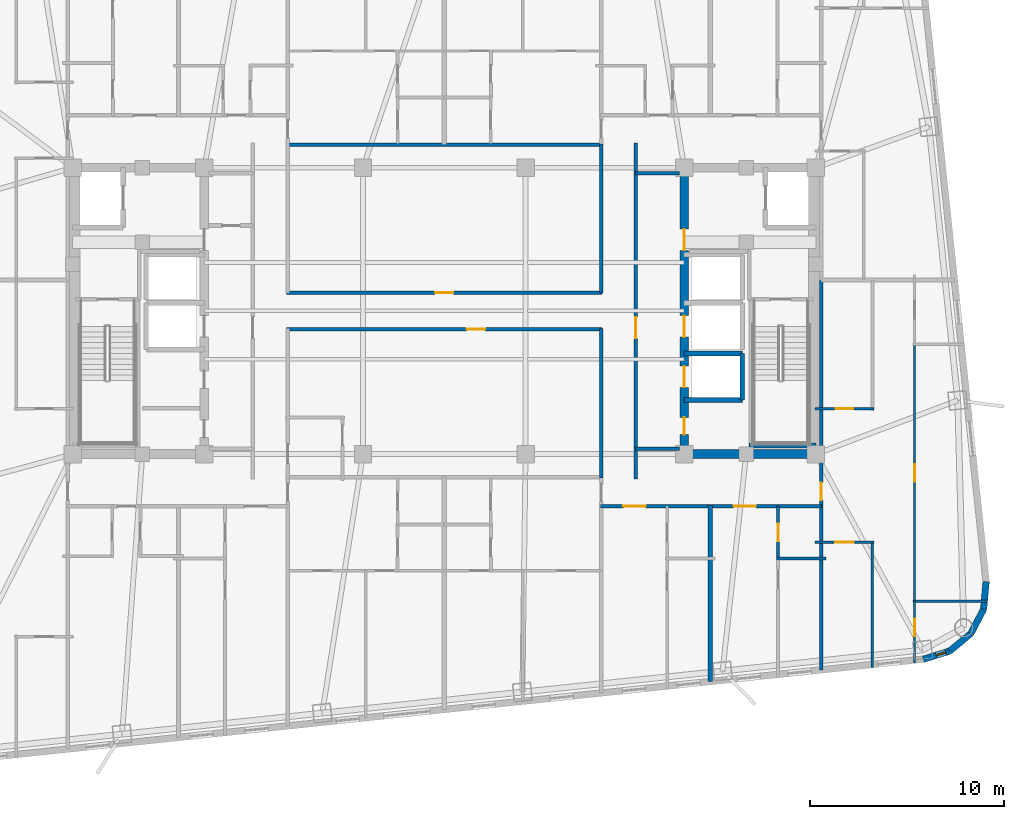
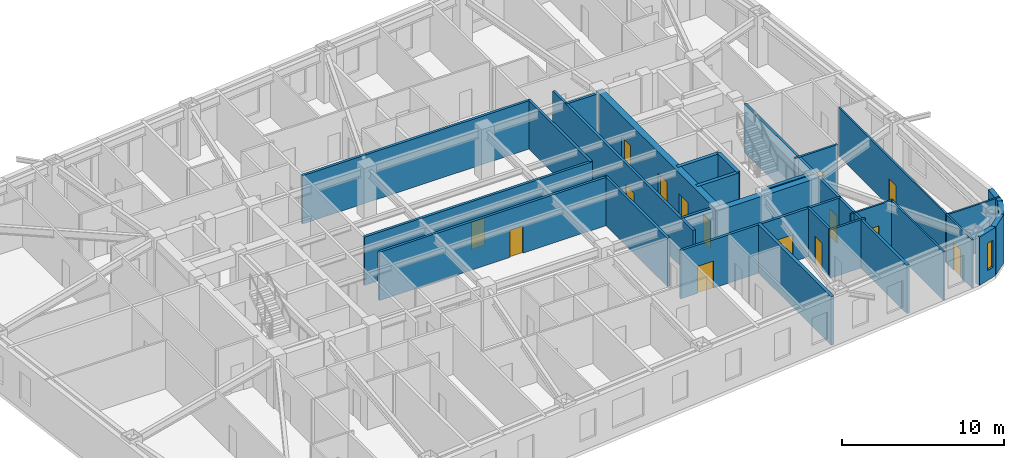
# One storey, part 6 of 12: 29 walls, 15 doors, 1 window, 16 openings.
"""IFC4 building model written with IfcOpenShell, lengths in metres."""

from ifc_helpers import new_model, si_unit, direction, frame, frame_2d, origin, place, context, subcontext, project, spatial, rectangle, extrude, material, layer, layer_set, type_object, element, fill, save


model = new_model("IFC4")

# Units and contexts
model_context = context("Model", 3, precision=1e-05, world=origin(), true_north=direction((0.0, 1.0)))
body_context = subcontext(model_context, "Body", "Model", "MODEL_VIEW")
ifc_project = project(units=[si_unit("LENGTHUNIT", "METRE"), si_unit("AREAUNIT", "SQUARE_METRE"), si_unit("VOLUMEUNIT", "CUBIC_METRE"), si_unit("PLANEANGLEUNIT", "RADIAN"), si_unit("MASSUNIT", "GRAM", prefix="KILO")], contexts=[model_context])

# Site, building, storey
site_placement = place(None, origin())
site = spatial("IfcSite", under=ifc_project, at=site_placement, CompositionType="ELEMENT")
building_placement = place(site_placement, origin())
building = spatial("IfcBuilding", under=site, at=building_placement, Name="Voryun Gate Residences", CompositionType="ELEMENT")
storey_placement = place(building_placement, frame((0.0, 0.0, 167.699951171875)))
storey = spatial("IfcBuildingStorey", under=building, at=storey_placement, Name="L41", CompositionType="ELEMENT", Elevation=167.699951171875)

# Wall
ifc_material_1 = material(Name="Concrete C50/60", Category="concrete")
ifc_layer_1 = layer(ifc_material_1, 0.449951171875, Name="CW_CORE_450")
ifc_layer_set_1 = layer_set([ifc_layer_1], Name="Concrete C50/60")
wall_type_1 = type_object("IfcWallType", Name="CW_CORE_450", PredefinedType="SHEAR", material=ifc_layer_set_1)
wall_1_placement = place(storey_placement, frame((12.175048828125, -7.39990234375, 0.0), z_axis=(0.0, 0.0, 1.0), x_axis=(1.0, 0.0, 0.0)))
element("IfcWall", 1, at=wall_1_placement, inside=storey, type_object=wall_type_1, Name="L41 Core shear wall CW-L41-ES", PredefinedType="SHEAR", context=body_context, shape_type="SweptSolid", body=[
    extrude(rectangle(XDim=7.25, YDim=0.449951171875, at=frame_2d((3.625, 0.0))), origin(), (0.0, 0.0, 1.0), 3.650146484375),
])

# Wall, openings, doors
wall_2_placement = place(storey_placement, frame((12.39990234375, -7.39990234375, 0.0), z_axis=(0.0, 0.0, 1.0), x_axis=(0.0, 1.0, 0.0)))
wall_2 = element("IfcWall", 2, at=wall_2_placement, inside=storey, type_object=wall_type_1, Name="L41 Core shear wall CW-L41-EW", PredefinedType="SHEAR", context=body_context, shape_type="SweptSolid", body=[
    extrude(rectangle(XDim=14.7998046875, YDim=0.449951171875, at=frame_2d((7.39990234375, 0.0))), origin(), (0.0, 0.0, 1.0), 3.650146484375),
])
opening_1_placement = place(wall_2_placement, frame((3.449951171875, 0.0, 0.0)))
opening_1 = element("IfcOpeningElement", 3, at=opening_1_placement, cuts=wall_2, Name="Opening LD2", PredefinedType="OPENING", context=body_context, shape_type="SweptSolid", body=[
    extrude(rectangle(XDim=1.10009765625, YDim=2.050048828125, at=frame_2d((0.550048828125, 1.02490234375))), frame((0.0, 0.235107421875, 0.0), z_axis=(0.0, -1.0, 0.0), x_axis=(1.0, 0.0, 0.0)), (0.0, 0.0, 1.0), 0.469970703125),
])
opening_2_placement = place(wall_2_placement, frame((6.050048828125, 0.0, 0.0)))
opening_2 = element("IfcOpeningElement", 4, at=opening_2_placement, cuts=wall_2, Name="Opening LD2", PredefinedType="OPENING", context=body_context, shape_type="SweptSolid", body=[
    extrude(rectangle(XDim=1.10009765625, YDim=2.050048828125, at=frame_2d((0.550048828125, 1.02490234375))), frame((0.0, 0.235107421875, 0.0), z_axis=(0.0, -1.0, 0.0), x_axis=(1.0, 0.0, 0.0)), (0.0, 0.0, 1.0), 0.469970703125),
])
opening_3_placement = place(wall_2_placement, frame((10.530029296875, 0.0, 0.0)))
opening_3 = element("IfcOpeningElement", 5, at=opening_3_placement, cuts=wall_2, Name="Opening D-FD60-2", PredefinedType="OPENING", context=body_context, shape_type="SweptSolid", body=[
    extrude(rectangle(XDim=1.10009765625, YDim=2.050048828125, at=frame_2d((0.550048828125, 1.02490234375))), frame((0.0, 0.235107421875, 0.0), z_axis=(0.0, -1.0, 0.0), x_axis=(1.0, 0.0, 0.0)), (0.0, 0.0, 1.0), 0.469970703125),
])
opening_4_placement = place(wall_2_placement, frame((1.0, 0.0, 0.0)))
opening_4 = element("IfcOpeningElement", 6, at=opening_4_placement, cuts=wall_2, Name="Opening D-FD60-4", PredefinedType="OPENING", context=body_context, shape_type="SweptSolid", body=[
    extrude(rectangle(XDim=0.89990234375, YDim=2.050048828125, at=frame_2d((0.449951171875, 1.02490234375))), frame((0.0, 0.235107421875, 0.0), z_axis=(0.0, -1.0, 0.0), x_axis=(1.0, 0.0, 0.0)), (0.0, 0.0, 1.0), 0.469970703125),
])
ifc_material_2 = material(Name="Painted steel fire door", Category="steel")
door_type_1 = type_object("IfcDoorType", Name="DR_FD60_FFLOB_1100", OperationType="NOTDEFINED", PredefinedType="DOOR", material=ifc_material_2)
door_1_placement = place(opening_3_placement, origin())
door_1 = element("IfcDoor", 7, at=door_1_placement, inside=storey, type_object=door_type_1, Name="Door DR-L41-CLOB-E", OperationType="SINGLE_SWING_RIGHT", OverallHeight=2.050048828125, OverallWidth=1.10009765625, PredefinedType="DOOR", context=body_context, shape_type="SweptSolid", body=[
    extrude(rectangle(XDim=1.10009765625, YDim=2.050048828125, at=frame_2d((0.550048828125, 1.02490234375))), frame((0.0, 0.02490234375, 0.0), z_axis=(0.0, -1.0, 0.0), x_axis=(1.0, 0.0, 0.0)), (0.0, 0.0, 1.0), 0.050048828125),
])
fill(opening_3, door_1)
ifc_material_3 = material(Name="Painted steel fire door", Category="steel")
door_type_2 = type_object("IfcDoorType", Name="DR_FD60_RISER_900", OperationType="NOTDEFINED", PredefinedType="DOOR", material=ifc_material_3)
door_2_placement = place(opening_4_placement, origin())
door_2 = element("IfcDoor", 8, at=door_2_placement, inside=storey, type_object=door_type_2, Name="Door DR-L41-RECE1", OperationType="SINGLE_SWING_RIGHT", OverallHeight=2.050048828125, OverallWidth=0.89990234375, PredefinedType="DOOR", context=body_context, shape_type="SweptSolid", body=[
    extrude(rectangle(XDim=0.89990234375, YDim=2.050048828125, at=frame_2d((0.449951171875, 1.02490234375))), frame((0.0, 0.02490234375, 0.0), z_axis=(0.0, -1.0, 0.0), x_axis=(1.0, 0.0, 0.0)), (0.0, 0.0, 1.0), 0.050048828125),
])
fill(opening_4, door_2)
ifc_material_4 = material(Name="Anodised aluminium", Category="aluminium")
door_type_3 = type_object("IfcDoorType", Name="DR_LD_PASS_1100", OperationType="NOTDEFINED", PredefinedType="DOOR", material=ifc_material_4)
door_3_placement = place(opening_1_placement, origin())
door_3 = element("IfcDoor", 9, at=door_3_placement, inside=storey, type_object=door_type_3, Name="Lift EL-P5 sliding landing door L41", OperationType="SLIDING_TO_LEFT", OverallHeight=2.050048828125, OverallWidth=1.10009765625, PredefinedType="DOOR", context=body_context, shape_type="SweptSolid", body=[
    extrude(rectangle(XDim=1.10009765625, YDim=2.050048828125, at=frame_2d((0.550048828125, 1.02490234375))), frame((0.0, 0.02490234375, 0.0), z_axis=(0.0, -1.0, 0.0), x_axis=(1.0, 0.0, 0.0)), (0.0, 0.0, 1.0), 0.050048828125),
])
fill(opening_1, door_3)
door_4_placement = place(opening_2_placement, origin())
door_4 = element("IfcDoor", 10, at=door_4_placement, inside=storey, type_object=door_type_3, Name="Lift EL-P6 sliding landing door L41", OperationType="SLIDING_TO_LEFT", OverallHeight=2.050048828125, OverallWidth=1.10009765625, PredefinedType="DOOR", context=body_context, shape_type="SweptSolid", body=[
    extrude(rectangle(XDim=1.10009765625, YDim=2.050048828125, at=frame_2d((0.550048828125, 1.02490234375))), frame((0.0, 0.02490234375, 0.0), z_axis=(0.0, -1.0, 0.0), x_axis=(1.0, 0.0, 0.0)), (0.0, 0.0, 1.0), 0.050048828125),
])
fill(opening_2, door_4)

# Walls
ifc_material_5 = material(Name="Gypsum acoustic fireboard")
ifc_layer_2 = layer(ifc_material_5, 0.179931640625, Name="W_CORR_RATED_180")
ifc_layer_set_2 = layer_set([ifc_layer_2], Name="Gypsum acoustic fireboard")
wall_type_2 = type_object("IfcWallType", Name="W_CORR_RATED_180", PredefinedType="PARTITIONING", material=ifc_layer_set_2)
for number, where, z_axis, x_axis, name in (
    (11, (9.8798828125, 7.1201171875, 0.0), (0.0, 0.0, 1.0), (1.0, 0.0, 0.0), "Partition wall WP-L41-PLBN-E"),
    (12, (9.8798828125, -7.1201171875, 0.0), (0.0, 0.0, 1.0), (1.0, 0.0, 0.0), "Partition wall WP-L41-PLBS-E"),
):
    element("IfcWall", number, at=place(storey_placement, frame(where, z_axis=z_axis, x_axis=x_axis)), inside=storey, type_object=wall_type_2, Name=name, PredefinedType="PARTITIONING", context=body_context, shape_type="SweptSolid", body=[
        extrude(rectangle(XDim=2.27001953125, YDim=0.179931640625, at=frame_2d((1.135009765625, 0.0))), origin(), (0.0, 0.0, 1.0), 3.650146484375),
    ])

# Wall, opening, door
wall_3_placement = place(storey_placement, frame((9.89990234375, -8.679931640625, 0.0), z_axis=(0.0, 0.0, 1.0), x_axis=(0.0, 1.0, 0.0)))
wall_3 = element("IfcWall", 13, at=wall_3_placement, inside=storey, type_object=wall_type_2, Name="Partition wall WP-L41-PLBE-FULL", PredefinedType="PARTITIONING", context=body_context, shape_type="SweptSolid", body=[
    extrude(rectangle(XDim=17.35986328125, YDim=0.179931640625, at=frame_2d((8.679931640625, 0.0))), origin(), (0.0, 0.0, 1.0), 3.650146484375),
])
opening_5_placement = place(wall_3_placement, frame((7.261962890625, 0.0, 0.0)))
opening_5 = element("IfcOpeningElement", 14, at=opening_5_placement, cuts=wall_3, Name="Opening D-FD60-2", PredefinedType="OPENING", context=body_context, shape_type="SweptSolid", body=[
    extrude(rectangle(XDim=1.10009765625, YDim=2.050048828125, at=frame_2d((0.550048828125, 1.02490234375))), frame((0.0, 0.099853515625, 0.0), z_axis=(0.0, -1.0, 0.0), x_axis=(1.0, 0.0, 0.0)), (0.0, 0.0, 1.0), 0.199951171875),
])
door_5_placement = place(opening_5_placement, origin())
door_5 = element("IfcDoor", 15, at=door_5_placement, inside=storey, type_object=door_type_1, Name="Door DR-L41-PLBE-COR", OperationType="SINGLE_SWING_RIGHT", OverallHeight=2.050048828125, OverallWidth=1.10009765625, PredefinedType="DOOR", context=body_context, shape_type="SweptSolid", body=[
    extrude(rectangle(XDim=1.10009765625, YDim=2.050048828125, at=frame_2d((0.550048828125, 1.02490234375))), frame((0.0, 0.02490234375, 0.0), z_axis=(0.0, -1.0, 0.0), x_axis=(1.0, 0.0, 0.0)), (0.0, 0.0, 1.0), 0.050048828125),
])
fill(opening_5, door_5)

# Wall
wall_4_placement = place(storey_placement, frame((-8.14990234375, 8.590087890625, 0.0), z_axis=(0.0, 0.0, 1.0), x_axis=(1.0, 0.0, 0.0)))
element("IfcWall", 16, at=wall_4_placement, inside=storey, type_object=wall_type_2, Name="Partition wall WP-L41-Z2N", PredefinedType="PARTITIONING", context=body_context, shape_type="SweptSolid", body=[
    extrude(rectangle(XDim=16.2998046875, YDim=0.179931640625, at=frame_2d((8.14990234375, 0.0))), origin(), (0.0, 0.0, 1.0), 3.650146484375),
])

# Wall, opening, door
wall_5_placement = place(storey_placement, frame((-8.14990234375, 0.93994140625, 0.0), z_axis=(0.0, 0.0, 1.0), x_axis=(1.0, 0.0, 0.0)))
wall_5 = element("IfcWall", 17, at=wall_5_placement, inside=storey, type_object=wall_type_2, Name="Partition wall WP-L41-Z2HN", PredefinedType="PARTITIONING", context=body_context, shape_type="SweptSolid", body=[
    extrude(rectangle(XDim=16.2998046875, YDim=0.179931640625, at=frame_2d((8.14990234375, 0.0))), origin(), (0.0, 0.0, 1.0), 3.650146484375),
])
opening_6_placement = place(wall_5_placement, frame((7.675048828125, 0.0, 0.0)))
opening_6 = element("IfcOpeningElement", 18, at=opening_6_placement, cuts=wall_5, Name="Opening D-INT-1", PredefinedType="OPENING", context=body_context, shape_type="SweptSolid", body=[
    extrude(rectangle(XDim=0.949951171875, YDim=2.050048828125, at=frame_2d((0.47509765625, 1.02490234375))), frame((0.0, 0.099853515625, 0.0), z_axis=(0.0, -1.0, 0.0), x_axis=(1.0, 0.0, 0.0)), (0.0, 0.0, 1.0), 0.199951171875),
])
ifc_material_6 = material(Name="Architectural oak veneer")
door_type_4 = type_object("IfcDoorType", Name="DR_INT_ROOM_950", OperationType="NOTDEFINED", PredefinedType="DOOR", material=ifc_material_6)
door_6_placement = place(opening_6_placement, origin())
door_6 = element("IfcDoor", 19, at=door_6_placement, inside=storey, type_object=door_type_4, Name="Door DR-L41-Z2NH", OperationType="SINGLE_SWING_LEFT", OverallHeight=2.050048828125, OverallWidth=0.949951171875, PredefinedType="DOOR", context=body_context, shape_type="SweptSolid", body=[
    extrude(rectangle(XDim=0.949951171875, YDim=2.050048828125, at=frame_2d((0.47509765625, 1.02490234375))), frame((0.0, 0.02490234375, 0.0), z_axis=(0.0, -1.0, 0.0), x_axis=(1.0, 0.0, 0.0)), (0.0, 0.0, 1.0), 0.050048828125),
])
fill(opening_6, door_6)

wall_6_placement = place(storey_placement, frame((-8.14990234375, -0.93994140625, 0.0), z_axis=(0.0, 0.0, 1.0), x_axis=(1.0, 0.0, 0.0)))
wall_6 = element("IfcWall", 20, at=wall_6_placement, inside=storey, type_object=wall_type_2, Name="Partition wall WP-L41-Z2HS", PredefinedType="PARTITIONING", context=body_context, shape_type="SweptSolid", body=[
    extrude(rectangle(XDim=16.2998046875, YDim=0.179931640625, at=frame_2d((8.14990234375, 0.0))), origin(), (0.0, 0.0, 1.0), 3.650146484375),
])
opening_7_placement = place(wall_6_placement, frame((9.304931640625, 0.0, 0.0)))
opening_7 = element("IfcOpeningElement", 21, at=opening_7_placement, cuts=wall_6, Name="Opening D-INT-1", PredefinedType="OPENING", context=body_context, shape_type="SweptSolid", body=[
    extrude(rectangle(XDim=0.949951171875, YDim=2.050048828125, at=frame_2d((0.47509765625, 1.02490234375))), frame((0.0, 0.099853515625, 0.0), z_axis=(0.0, -1.0, 0.0), x_axis=(1.0, 0.0, 0.0)), (0.0, 0.0, 1.0), 0.199951171875),
])
door_7_placement = place(opening_7_placement, origin())
door_7 = element("IfcDoor", 22, at=door_7_placement, inside=storey, type_object=door_type_4, Name="Door DR-L41-Z2SH", OperationType="SINGLE_SWING_RIGHT", OverallHeight=2.050048828125, OverallWidth=0.949951171875, PredefinedType="DOOR", context=body_context, shape_type="SweptSolid", body=[
    extrude(rectangle(XDim=0.949951171875, YDim=2.050048828125, at=frame_2d((0.47509765625, 1.02490234375))), frame((0.0, 0.02490234375, 0.0), z_axis=(0.0, -1.0, 0.0), x_axis=(1.0, 0.0, 0.0)), (0.0, 0.0, 1.0), 0.050048828125),
])
fill(opening_7, door_7)

# Walls
for number, where, z_axis, x_axis, name in (
    (23, (8.10009765625, 0.919921875, 0.0), (0.0, 0.0, 1.0), (0.0, 1.0, 0.0), "Partition wall WP-L41-Z2ER1"),
    (24, (8.10009765625, -8.6298828125, 0.0), (0.0, 0.0, 1.0), (0.0, 1.0, 0.0), "Partition wall WP-L41-Z2ER2"),
):
    element("IfcWall", number, at=place(storey_placement, frame(where, z_axis=z_axis, x_axis=x_axis)), inside=storey, type_object=wall_type_2, Name=name, PredefinedType="PARTITIONING", context=body_context, shape_type="SweptSolid", body=[
        extrude(rectangle(XDim=7.7099609375, YDim=0.179931640625, at=frame_2d((3.85498046875, 0.0))), origin(), (0.0, 0.0, 1.0), 3.650146484375),
    ])

# Wall, openings, doors
wall_7_placement = place(storey_placement, frame((8.080078125, -10.10009765625, 0.0), z_axis=(0.0, 0.0, 1.0), x_axis=(1.0, 0.0, 0.0)))
wall_7 = element("IfcWall", 25, at=wall_7_placement, inside=storey, type_object=wall_type_2, Name="Partition wall WP-L41-SCORR-E", PredefinedType="PARTITIONING", context=body_context, shape_type="SweptSolid", body=[
    extrude(rectangle(XDim=11.419921875, YDim=0.179931640625, at=frame_2d((5.7099609375, 0.0))), origin(), (0.0, 0.0, 1.0), 3.650146484375),
])
opening_8_placement = place(wall_7_placement, frame((1.174560546875, 0.0, 0.0)))
opening_8 = element("IfcOpeningElement", 26, at=opening_8_placement, cuts=wall_7, Name="Opening D-UNIT-1", PredefinedType="OPENING", context=body_context, shape_type="SweptSolid", body=[
    extrude(rectangle(XDim=1.14990234375, YDim=2.050048828125, at=frame_2d((0.574951171875, 1.02490234375))), frame((0.0, 0.099853515625, 0.0), z_axis=(0.0, -1.0, 0.0), x_axis=(1.0, 0.0, 0.0)), (0.0, 0.0, 1.0), 0.199951171875),
])
opening_9_placement = place(wall_7_placement, frame((6.86962890625, 0.0, 0.0)))
opening_9 = element("IfcOpeningElement", 27, at=opening_9_placement, cuts=wall_7, Name="Opening D-UNIT-1", PredefinedType="OPENING", context=body_context, shape_type="SweptSolid", body=[
    extrude(rectangle(XDim=1.14990234375, YDim=2.050048828125, at=frame_2d((0.574951171875, 1.02490234375))), frame((0.0, 0.099853515625, 0.0), z_axis=(0.0, -1.0, 0.0), x_axis=(1.0, 0.0, 0.0)), (0.0, 0.0, 1.0), 0.199951171875),
])
ifc_material_7 = material(Name="Armoured timber-clad fire door", Category="wood")
door_type_5 = type_object("IfcDoorType", Name="DR_UNIT_ENTRY_1150", OperationType="NOTDEFINED", PredefinedType="DOOR", material=ifc_material_7)
door_8_placement = place(opening_8_placement, origin())
door_8 = element("IfcDoor", 28, at=door_8_placement, inside=storey, type_object=door_type_5, Name="Door DR-L41-SENT-4", OperationType="SINGLE_SWING_LEFT", OverallHeight=2.050048828125, OverallWidth=1.14990234375, PredefinedType="DOOR", context=body_context, shape_type="SweptSolid", body=[
    extrude(rectangle(XDim=1.14990234375, YDim=2.050048828125, at=frame_2d((0.574951171875, 1.02490234375))), frame((0.0, 0.02490234375, 0.0), z_axis=(0.0, -1.0, 0.0), x_axis=(1.0, 0.0, 0.0)), (0.0, 0.0, 1.0), 0.050048828125),
])
fill(opening_8, door_8)
door_9_placement = place(opening_9_placement, origin())
door_9 = element("IfcDoor", 29, at=door_9_placement, inside=storey, type_object=door_type_5, Name="Door DR-L41-SENT-5", OperationType="SINGLE_SWING_RIGHT", OverallHeight=2.050048828125, OverallWidth=1.14990234375, PredefinedType="DOOR", context=body_context, shape_type="SweptSolid", body=[
    extrude(rectangle(XDim=1.14990234375, YDim=2.050048828125, at=frame_2d((0.574951171875, 1.02490234375))), frame((0.0, 0.02490234375, 0.0), z_axis=(0.0, -1.0, 0.0), x_axis=(1.0, 0.0, 0.0)), (0.0, 0.0, 1.0), 0.050048828125),
])
fill(opening_9, door_9)

# Wall, opening, door
wall_8_placement = place(storey_placement, frame((19.469970703125, -18.55859375, 0.0), z_axis=(0.0, 0.0, 1.0), x_axis=(0.0, 1.0, 0.0)))
wall_8 = element("IfcWall", 30, at=wall_8_placement, inside=storey, type_object=wall_type_2, Name="Partition wall WP-L41-ECOR1", PredefinedType="PARTITIONING", context=body_context, shape_type="SweptSolid", body=[
    extrude(rectangle(XDim=20.15869140625, YDim=0.179931640625, at=frame_2d((10.079345703125, 0.0))), origin(), (0.0, 0.0, 1.0), 3.650146484375),
])
opening_10_placement = place(wall_8_placement, frame((8.77880859375, 0.0, 0.0)))
opening_10 = element("IfcOpeningElement", 31, at=opening_10_placement, cuts=wall_8, Name="Opening D-INT-2", PredefinedType="OPENING", context=body_context, shape_type="SweptSolid", body=[
    extrude(rectangle(XDim=0.89990234375, YDim=2.050048828125, at=frame_2d((0.449951171875, 1.02490234375))), frame((0.0, 0.099853515625, 0.0), z_axis=(0.0, -1.0, 0.0), x_axis=(1.0, 0.0, 0.0)), (0.0, 0.0, 1.0), 0.199951171875),
])
ifc_material_8 = material(Name="Architectural oak veneer")
door_type_6 = type_object("IfcDoorType", Name="DR_INT_BATH_900", OperationType="NOTDEFINED", PredefinedType="DOOR", material=ifc_material_8)
door_10_placement = place(opening_10_placement, origin())
door_10 = element("IfcDoor", 32, at=door_10_placement, inside=storey, type_object=door_type_6, Name="Door DR-L41-EE1", OperationType="SINGLE_SWING_LEFT", OverallHeight=2.050048828125, OverallWidth=0.89990234375, PredefinedType="DOOR", context=body_context, shape_type="SweptSolid", body=[
    extrude(rectangle(XDim=0.89990234375, YDim=2.050048828125, at=frame_2d((0.449951171875, 1.02490234375))), frame((0.0, 0.02490234375, 0.0), z_axis=(0.0, -1.0, 0.0), x_axis=(1.0, 0.0, 0.0)), (0.0, 0.0, 1.0), 0.050048828125),
])
fill(opening_10, door_10)

# Walls
ifc_material_9 = material(Name="Charcoal terracotta masonry", Category="masonry")
ifc_layer_3 = layer(ifc_material_9, 0.340087890625, Name="W_EXT_TERRACOTTA_340")
ifc_layer_set_3 = layer_set([ifc_layer_3], Name="Charcoal terracotta masonry")
wall_type_3 = type_object("IfcWallType", Name="W_EXT_TERRACOTTA_340", PredefinedType="ELEMENTEDWALL", material=ifc_layer_set_3)
wall_9_placement = place(storey_placement, frame((28.001220703125, -13.9951171875, 0.0), z_axis=(0.0, 0.0, 1.0), x_axis=(-0.091534682358, -0.995801888894, 0.0)))
element("IfcWall", 33, at=wall_9_placement, inside=storey, type_object=wall_type_3, Name="Exterior wall WEXT-L41-17", PredefinedType="ELEMENTEDWALL", context=body_context, shape_type="SweptSolid", body=[
    extrude(rectangle(XDim=1.432373046875, YDim=0.340087890625, at=frame_2d((0.71630859375, 0.0))), origin(), (0.0, 0.0, 1.0), 3.650146484375),
])
for number, where, z_axis, x_axis, name in (
    (34, (27.8701171875, -15.42138671875, 0.0), (0.0, 0.0, 1.0), (-0.465682431293, -0.884951904447, 0.0), "Exterior wall WEXT-L41-18"),
    (35, (27.211181640625, -16.673583984375, 0.0), (0.0, 0.0, 1.0), (-0.768758372808, -0.639539337522, 0.0), "Exterior wall WEXT-L41-19"),
):
    element("IfcWall", number, at=place(storey_placement, frame(where, z_axis=z_axis, x_axis=x_axis)), inside=storey, type_object=wall_type_3, Name=name, PredefinedType="ELEMENTEDWALL", context=body_context, shape_type="SweptSolid", body=[
        extrude(rectangle(XDim=1.4150390625, YDim=0.340087890625, at=frame_2d((0.70751953125, 0.0))), origin(), (0.0, 0.0, 1.0), 3.650146484375),
    ])

# Wall, opening, window
wall_10_placement = place(storey_placement, frame((26.123291015625, -17.57861328125, 0.0), z_axis=(0.0, 0.0, 1.0), x_axis=(-0.955042500381, -0.296468923271, 0.0)))
wall_10 = element("IfcWall", 36, at=wall_10_placement, inside=storey, type_object=wall_type_3, Name="Exterior wall WEXT-L41-20", PredefinedType="ELEMENTEDWALL", context=body_context, shape_type="SweptSolid", body=[
    extrude(rectangle(XDim=1.43212890625, YDim=0.340087890625, at=frame_2d((0.716064453125, 0.0))), origin(), (0.0, 0.0, 1.0), 3.650146484375),
])
opening_11_placement = place(wall_10_placement, frame((0.216064453125, 0.0, 0.75)))
opening_11 = element("IfcOpeningElement", 37, at=opening_11_placement, cuts=wall_10, Name="Opening WN10", PredefinedType="OPENING", context=body_context, shape_type="SweptSolid", body=[
    extrude(rectangle(XDim=0.52001953125, YDim=2.050048828125, at=frame_2d((0.260009765625, 1.02490234375))), frame((0.0, 0.179931640625, 0.0), z_axis=(0.0, -1.0, 0.0), x_axis=(1.0, 0.0, 0.0)), (0.0, 0.0, 1.0), 0.360107421875),
])
ifc_material_10 = material(Name="Laminated low-E glass", Category="glass")
window_type = type_object("IfcWindowType", Name="WN_PAGODA_LANCET_520", PartitioningType="SINGLE_PANEL", PredefinedType="WINDOW", material=ifc_material_10)
window_placement = place(opening_11_placement, origin())
window = element("IfcWindow", 38, at=window_placement, inside=storey, type_object=window_type, Name="Window WN-L41-DWFIX-28", OverallHeight=2.050048828125, OverallWidth=0.52001953125, PartitioningType="SINGLE_PANEL", PredefinedType="WINDOW", context=body_context, shape_type="SweptSolid", body=[
    extrude(rectangle(XDim=0.52001953125, YDim=2.050048828125, at=frame_2d((0.260009765625, 1.02490234375))), frame((0.0, 0.030029296875, 0.0), z_axis=(0.0, -1.0, 0.0), x_axis=(1.0, 0.0, 0.0)), (0.0, 0.0, 1.0), 0.06005859375),
])
fill(opening_11, window)

# Walls
ifc_material_11 = material(Name="Concrete C40/50", Category="concrete")
ifc_layer_4 = layer(ifc_material_11, 0.219970703125, Name="W_PARTY_ACOUSTIC_220")
ifc_layer_set_4 = layer_set([ifc_layer_4], Name="Concrete C40/50")
wall_type_4 = type_object("IfcWallType", Name="W_PARTY_ACOUSTIC_220", PredefinedType="PARTITIONING", material=ifc_layer_set_4)
wall_11_placement = place(storey_placement, frame((13.739990234375, -19.160888671875, 0.0), z_axis=(0.0, 0.0, 1.0), x_axis=(0.0, 1.0, 0.0)))
element("IfcWall", 39, at=wall_11_placement, inside=storey, type_object=wall_type_4, Name="Partition wall WP-L41-SPTY-4", PredefinedType="PARTITIONING", context=body_context, shape_type="SweptSolid", body=[
    extrude(rectangle(XDim=9.140869140625, YDim=0.219970703125, at=frame_2d((4.5703125, 0.0))), origin(), (0.0, 0.0, 1.0), 3.650146484375),
])
ifc_material_12 = material(Name="Concrete C50/60", Category="concrete")
ifc_layer_5 = layer(ifc_material_12, 0.25, Name="W_SHAFT_RC250")
ifc_layer_set_5 = layer_set([ifc_layer_5], Name="Concrete C50/60")
wall_type_5 = type_object("IfcWallType", Name="W_SHAFT_RC250", PredefinedType="SOLIDWALL", material=ifc_layer_set_5)
wall_12_placement = place(storey_placement, frame((15.739990234375, -6.965087890625, 0.0), z_axis=(0.0, 0.0, 1.0), x_axis=(1.0, 0.0, 0.0)))
element("IfcWall", 40, at=wall_12_placement, inside=storey, type_object=wall_type_5, Name="L41 Stair shaft structural wall E-STS", PredefinedType="SOLIDWALL", context=body_context, shape_type="SweptSolid", body=[
    extrude(rectangle(XDim=3.4599609375, YDim=0.25, at=frame_2d((1.72998046875, 0.0))), origin(), (0.0, 0.0, 1.0), 3.650146484375),
])
wall_13_placement = place(storey_placement, frame((12.39990234375, -4.60009765625, 0.0), z_axis=(0.0, 0.0, 1.0), x_axis=(1.0, 0.0, 0.0)))
element("IfcWall", 41, at=wall_13_placement, inside=storey, type_object=wall_type_5, Name="Lift shaft wall WSH-L41-EL-P5-S", PredefinedType="SOLIDWALL", context=body_context, shape_type="SweptSolid", body=[
    extrude(rectangle(XDim=3.0, YDim=0.25, at=frame_2d((1.5, 0.0))), origin(), (0.0, 0.0, 1.0), 3.650146484375),
])
wall_14_placement = place(storey_placement, frame((15.39990234375, -4.60009765625, 0.0), z_axis=(0.0, 0.0, 1.0), x_axis=(0.0, 1.0, 0.0)))
element("IfcWall", 42, at=wall_14_placement, inside=storey, type_object=wall_type_5, Name="Lift shaft wall WSH-L41-EL-P5-E", PredefinedType="SOLIDWALL", context=body_context, shape_type="SweptSolid", body=[
    extrude(rectangle(XDim=2.400146484375, YDim=0.25, at=frame_2d((1.2001953125, 0.0))), origin(), (0.0, 0.0, 1.0), 3.650146484375),
])
wall_15_placement = place(storey_placement, frame((15.39990234375, -2.199951171875, 0.0), z_axis=(0.0, 0.0, 1.0), x_axis=(-1.0, 0.0, 0.0)))
element("IfcWall", 43, at=wall_15_placement, inside=storey, type_object=wall_type_5, Name="Lift shaft wall WSH-L41-EL-P5-N", PredefinedType="SOLIDWALL", context=body_context, shape_type="SweptSolid", body=[
    extrude(rectangle(XDim=3.0, YDim=0.25, at=frame_2d((1.5, 0.0))), origin(), (0.0, 0.0, 1.0), 3.650146484375),
])
ifc_material_13 = material(Name="Gypsum acoustic partition")
ifc_layer_6 = layer(ifc_material_13, 0.125, Name="W_UNIT_PART_125")
ifc_layer_set_6 = layer_set([ifc_layer_6], Name="Gypsum acoustic partition")
wall_type_6 = type_object("IfcWallType", Name="W_UNIT_PART_125", PredefinedType="PARTITIONING", material=ifc_layer_set_6)
wall_16_placement = place(storey_placement, frame((24.219970703125, -15.010009765625, 0.0), z_axis=(0.0, 0.0, 1.0), x_axis=(1.0, 0.0, 0.0)))
element("IfcWall", 44, at=wall_16_placement, inside=storey, type_object=wall_type_6, Name="Partition wall WP-L41-E1-OH1", PredefinedType="PARTITIONING", context=body_context, shape_type="SweptSolid", body=[
    extrude(rectangle(XDim=3.838623046875, YDim=0.125, at=frame_2d((1.91943359375, 0.0))), origin(), (0.0, 0.0, 1.0), 3.650146484375),
])

# Wall, opening, door
wall_17_placement = place(storey_placement, frame((24.300048828125, -18.201904296875, 0.0), z_axis=(0.0, 0.0, 1.0), x_axis=(0.0, 1.0, 0.0)))
wall_17 = element("IfcWall", 45, at=wall_17_placement, inside=storey, type_object=wall_type_6, Name="Partition wall WP-L41-E1-OVX1", PredefinedType="PARTITIONING", context=body_context, shape_type="SweptSolid", body=[
    extrude(rectangle(XDim=3.241943359375, YDim=0.125, at=frame_2d((1.62109375, 0.0))), origin(), (0.0, 0.0, 1.0), 3.650146484375),
])
opening_12_placement = place(wall_17_placement, frame((1.390869140625, 0.0, 0.0)))
opening_12 = element("IfcOpeningElement", 46, at=opening_12_placement, cuts=wall_17, Name="Opening D-INT-2", PredefinedType="OPENING", context=body_context, shape_type="SweptSolid", body=[
    extrude(rectangle(XDim=0.89990234375, YDim=2.050048828125, at=frame_2d((0.449951171875, 1.02490234375))), frame((0.0, 0.072509765625, 0.0), z_axis=(0.0, -1.0, 0.0), x_axis=(1.0, 0.0, 0.0)), (0.0, 0.0, 1.0), 0.14501953125),
])
door_11_placement = place(opening_12_placement, origin())
door_11 = element("IfcDoor", 47, at=door_11_placement, inside=storey, type_object=door_type_6, Name="Door DR-L41-E1-DBD2", OperationType="SINGLE_SWING_LEFT", OverallHeight=2.050048828125, OverallWidth=0.89990234375, PredefinedType="DOOR", context=body_context, shape_type="SweptSolid", body=[
    extrude(rectangle(XDim=0.89990234375, YDim=2.050048828125, at=frame_2d((0.449951171875, 1.02490234375))), frame((0.0, 0.02490234375, 0.0), z_axis=(0.0, -1.0, 0.0), x_axis=(1.0, 0.0, 0.0)), (0.0, 0.0, 1.0), 0.050048828125),
])
fill(opening_12, door_11)

wall_18_placement = place(storey_placement, frame((24.300048828125, -15.06005859375, 0.0), z_axis=(0.0, 0.0, 1.0), x_axis=(0.0, 1.0, 0.0)))
wall_18 = element("IfcWall", 48, at=wall_18_placement, inside=storey, type_object=wall_type_6, Name="Partition wall WP-L41-E1-OVX2", PredefinedType="PARTITIONING", context=body_context, shape_type="SweptSolid", body=[
    extrude(rectangle(XDim=13.380126953125, YDim=0.125, at=frame_2d((6.68994140625, 0.0))), origin(), (0.0, 0.0, 1.0), 3.650146484375),
])
opening_13_placement = place(wall_18_placement, frame((6.239990234375, 0.0, 0.0)))
opening_13 = element("IfcOpeningElement", 49, at=opening_13_placement, cuts=wall_18, Name="Opening D-INT-2", PredefinedType="OPENING", context=body_context, shape_type="SweptSolid", body=[
    extrude(rectangle(XDim=0.89990234375, YDim=2.050048828125, at=frame_2d((0.449951171875, 1.02490234375))), frame((0.0, 0.072509765625, 0.0), z_axis=(0.0, -1.0, 0.0), x_axis=(1.0, 0.0, 0.0)), (0.0, 0.0, 1.0), 0.14501953125),
])
door_12_placement = place(opening_13_placement, origin())
door_12 = element("IfcDoor", 50, at=door_12_placement, inside=storey, type_object=door_type_6, Name="Door DR-L41-E1-DSTD", OperationType="SINGLE_SWING_RIGHT", OverallHeight=2.050048828125, OverallWidth=0.89990234375, PredefinedType="DOOR", context=body_context, shape_type="SweptSolid", body=[
    extrude(rectangle(XDim=0.89990234375, YDim=2.050048828125, at=frame_2d((0.449951171875, 1.02490234375))), frame((0.0, 0.02490234375, 0.0), z_axis=(0.0, -1.0, 0.0), x_axis=(1.0, 0.0, 0.0)), (0.0, 0.0, 1.0), 0.050048828125),
])
fill(opening_13, door_12)

wall_19_placement = place(storey_placement, frame((19.14990234375, -11.966064453125, 0.0), z_axis=(0.0, 0.0, 1.0), x_axis=(1.0, 0.0, 0.0)))
wall_19 = element("IfcWall", 51, at=wall_19_placement, inside=storey, type_object=wall_type_6, Name="Partition wall WP-L41-E1-IKA", PredefinedType="PARTITIONING", context=body_context, shape_type="SweptSolid", body=[
    extrude(rectangle(XDim=3.050048828125, YDim=0.125, at=frame_2d((1.52490234375, 0.0))), origin(), (0.0, 0.0, 1.0), 3.650146484375),
])
opening_14_placement = place(wall_19_placement, frame((1.050048828125, 0.0, 0.0)))
opening_14 = element("IfcOpeningElement", 52, at=opening_14_placement, cuts=wall_19, Name="Opening D-INT-1", PredefinedType="OPENING", context=body_context, shape_type="SweptSolid", body=[
    extrude(rectangle(XDim=0.949951171875, YDim=2.050048828125, at=frame_2d((0.47509765625, 1.02490234375))), frame((0.0, 0.072509765625, 0.0), z_axis=(0.0, -1.0, 0.0), x_axis=(1.0, 0.0, 0.0)), (0.0, 0.0, 1.0), 0.14501953125),
])
door_13_placement = place(opening_14_placement, origin())
door_13 = element("IfcDoor", 53, at=door_13_placement, inside=storey, type_object=door_type_4, Name="Door DR-L41-E1-DK", OperationType="SINGLE_SWING_LEFT", OverallHeight=2.050048828125, OverallWidth=0.949951171875, PredefinedType="DOOR", context=body_context, shape_type="SweptSolid", body=[
    extrude(rectangle(XDim=0.949951171875, YDim=2.050048828125, at=frame_2d((0.47509765625, 1.02490234375))), frame((0.0, 0.02490234375, 0.0), z_axis=(0.0, -1.0, 0.0), x_axis=(1.0, 0.0, 0.0)), (0.0, 0.0, 1.0), 0.050048828125),
])
fill(opening_14, door_13)

# Walls
wall_20_placement = place(storey_placement, frame((22.1201171875, -18.430908203125, 0.0), z_axis=(0.0, 0.0, 1.0), x_axis=(0.0, 1.0, 0.0)))
element("IfcWall", 54, at=wall_20_placement, inside=storey, type_object=wall_type_6, Name="Partition wall WP-L41-E1-VTA", PredefinedType="PARTITIONING", context=body_context, shape_type="SweptSolid", body=[
    extrude(rectangle(XDim=6.544921875, YDim=0.125, at=frame_2d((3.2724609375, 0.0))), origin(), (0.0, 0.0, 1.0), 3.650146484375),
])
ifc_material_14 = material(Name="Gypsum moisture-resistant partition")
ifc_layer_7 = layer(ifc_material_14, 0.14990234375, Name="W_WET_PLUMB_150")
ifc_layer_set_7 = layer_set([ifc_layer_7], Name="Gypsum moisture-resistant partition")
wall_type_7 = type_object("IfcWallType", Name="W_WET_PLUMB_150", PredefinedType="PLUMBINGWALL", material=ifc_layer_set_7)
wall_21_placement = place(storey_placement, frame((17.169921875, -12.800048828125, 0.0), z_axis=(0.0, 0.0, 1.0), x_axis=(1.0, 0.0, 0.0)))
element("IfcWall", 55, at=wall_21_placement, inside=storey, type_object=wall_type_7, Name="Partition wall WP-L41-S5-SKB", PredefinedType="PLUMBINGWALL", context=body_context, shape_type="SweptSolid", body=[
    extrude(rectangle(XDim=2.550048828125, YDim=0.14990234375, at=frame_2d((1.27490234375, 0.0))), origin(), (0.0, 0.0, 1.0), 3.650146484375),
])

# Wall, opening, door
wall_22_placement = place(storey_placement, frame((17.25, -12.840087890625, 0.0), z_axis=(0.0, 0.0, 1.0), x_axis=(0.0, 1.0, 0.0)))
wall_22 = element("IfcWall", 56, at=wall_22_placement, inside=storey, type_object=wall_type_7, Name="Partition wall WP-L41-S5-SVT2", PredefinedType="PLUMBINGWALL", context=body_context, shape_type="SweptSolid", body=[
    extrude(rectangle(XDim=2.760009765625, YDim=0.14990234375, at=frame_2d((1.3798828125, 0.0))), origin(), (0.0, 0.0, 1.0), 3.650146484375),
])
opening_15_placement = place(wall_22_placement, frame((0.929931640625, 0.0, 0.0)))
opening_15 = element("IfcOpeningElement", 57, at=opening_15_placement, cuts=wall_22, Name="Opening D-INT-2", PredefinedType="OPENING", context=body_context, shape_type="SweptSolid", body=[
    extrude(rectangle(XDim=0.89990234375, YDim=2.050048828125, at=frame_2d((0.449951171875, 1.02490234375))), frame((0.0, 0.0849609375, 0.0), z_axis=(0.0, -1.0, 0.0), x_axis=(1.0, 0.0, 0.0)), (0.0, 0.0, 1.0), 0.169921875),
])
door_14_placement = place(opening_15_placement, origin())
door_14 = element("IfcDoor", 58, at=door_14_placement, inside=storey, type_object=door_type_6, Name="Door DR-L41-S5-DB", OperationType="SINGLE_SWING_RIGHT", OverallHeight=2.050048828125, OverallWidth=0.89990234375, PredefinedType="DOOR", context=body_context, shape_type="SweptSolid", body=[
    extrude(rectangle(XDim=0.89990234375, YDim=2.050048828125, at=frame_2d((0.449951171875, 1.02490234375))), frame((0.0, 0.02490234375, 0.0), z_axis=(0.0, -1.0, 0.0), x_axis=(1.0, 0.0, 0.0)), (0.0, 0.0, 1.0), 0.050048828125),
])
fill(opening_15, door_14)

wall_23_placement = place(storey_placement, frame((19.14990234375, -5.06005859375, 0.0), z_axis=(0.0, 0.0, 1.0), x_axis=(1.0, 0.0, 0.0)))
wall_23 = element("IfcWall", 59, at=wall_23_placement, inside=storey, type_object=wall_type_7, Name="Partition wall WP-L41-E1-IBB", PredefinedType="PLUMBINGWALL", context=body_context, shape_type="SweptSolid", body=[
    extrude(rectangle(XDim=3.050048828125, YDim=0.14990234375, at=frame_2d((1.52490234375, 0.0))), origin(), (0.0, 0.0, 1.0), 3.650146484375),
])
opening_16_placement = place(wall_23_placement, frame((1.074951171875, 0.0, 0.0)))
opening_16 = element("IfcOpeningElement", 60, at=opening_16_placement, cuts=wall_23, Name="Opening D-INT-2", PredefinedType="OPENING", context=body_context, shape_type="SweptSolid", body=[
    extrude(rectangle(XDim=0.89990234375, YDim=2.050048828125, at=frame_2d((0.449951171875, 1.02490234375))), frame((0.0, 0.0849609375, 0.0), z_axis=(0.0, -1.0, 0.0), x_axis=(1.0, 0.0, 0.0)), (0.0, 0.0, 1.0), 0.169921875),
])
door_15_placement = place(opening_16_placement, origin())
door_15 = element("IfcDoor", 61, at=door_15_placement, inside=storey, type_object=door_type_6, Name="Door DR-L41-E1-DB", OperationType="SINGLE_SWING_RIGHT", OverallHeight=2.050048828125, OverallWidth=0.89990234375, PredefinedType="DOOR", context=body_context, shape_type="SweptSolid", body=[
    extrude(rectangle(XDim=0.89990234375, YDim=2.050048828125, at=frame_2d((0.449951171875, 1.02490234375))), frame((0.0, 0.02490234375, 0.0), z_axis=(0.0, -1.0, 0.0), x_axis=(1.0, 0.0, 0.0)), (0.0, 0.0, 1.0), 0.050048828125),
])
fill(opening_16, door_15)

save(model, "model.ifc")
